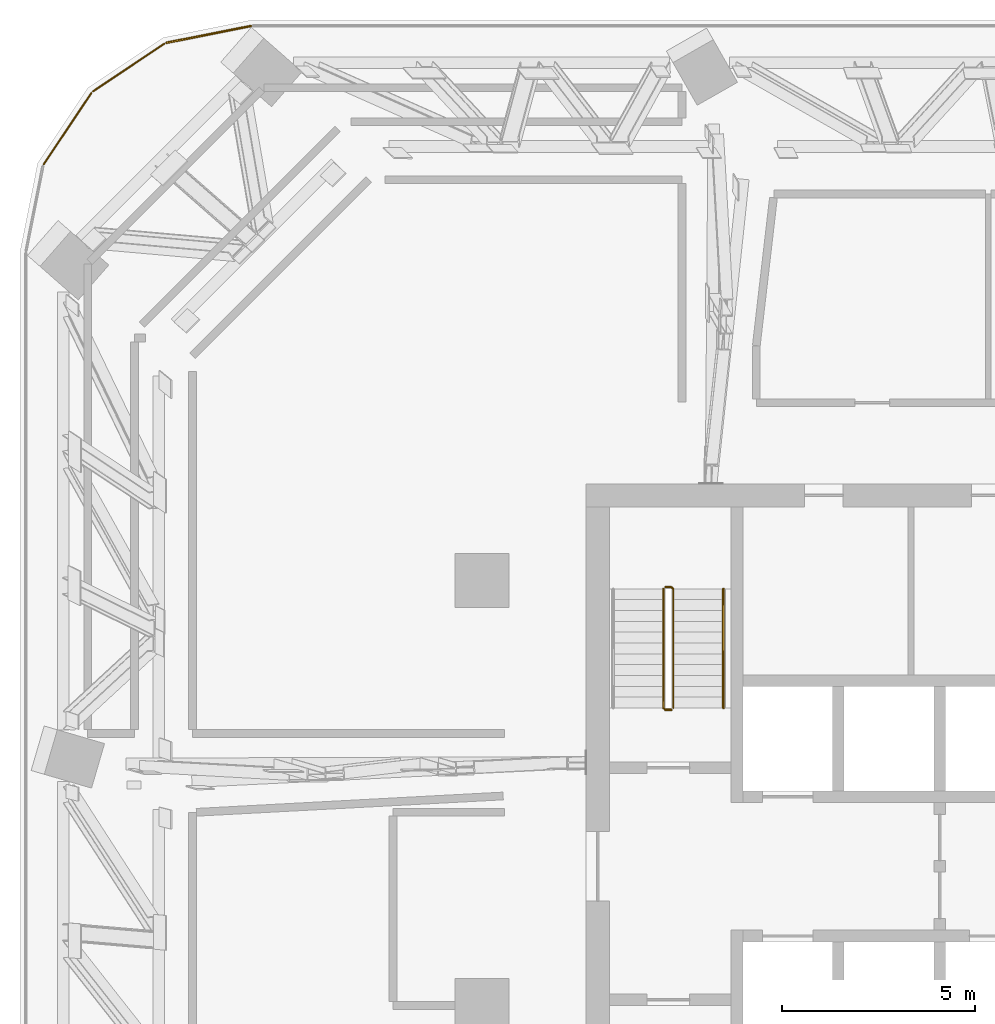
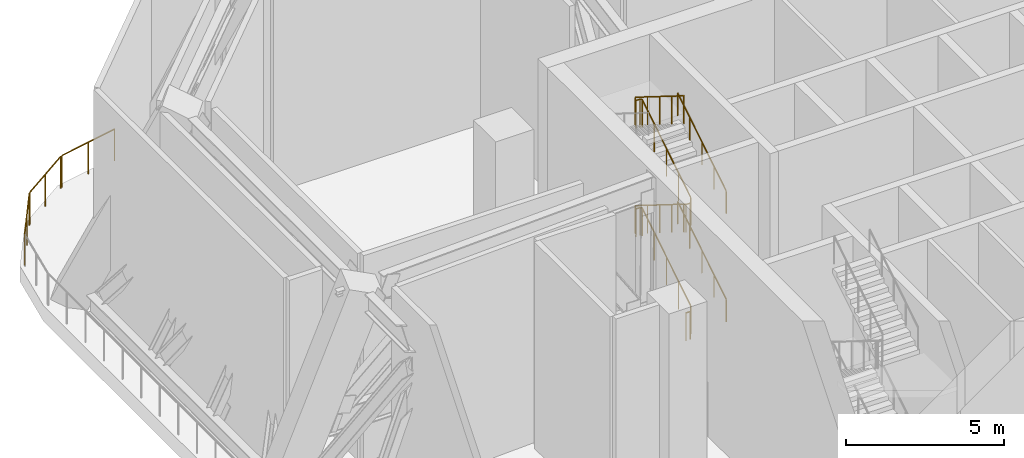
# One storey, part 22 of 24: 10 railings.
"""IFC4 building model written with IfcOpenShell, lengths in metres."""

from ifc_helpers import new_model, si_unit, direction, frame, origin, origin_2d, place, context, subcontext, project, spatial, circle, extrude, material, type_object, element, save


model = new_model("IFC4")

# Units and contexts
model_context = context("Model", 3, precision=1e-05, world=origin(), true_north=direction((0.0, 1.0)))
body_context = subcontext(model_context, "Body", "Model", "MODEL_VIEW")
ifc_project = project(units=[si_unit("LENGTHUNIT", "METRE"), si_unit("AREAUNIT", "SQUARE_METRE"), si_unit("VOLUMEUNIT", "CUBIC_METRE"), si_unit("PLANEANGLEUNIT", "RADIAN"), si_unit("MASSUNIT", "GRAM", prefix="KILO")], contexts=[model_context])

# Site, building, storey
site_placement = place(None, origin())
site = spatial("IfcSite", under=ifc_project, at=site_placement, CompositionType="ELEMENT")
building_placement = place(site_placement, origin())
building = spatial("IfcBuilding", under=site, at=building_placement, Name="Mopane Tessera Tower", CompositionType="ELEMENT")
storey_placement = place(building_placement, frame((0.0, 0.0, 148.60009765625)))
storey = spatial("IfcBuildingStorey", under=building, at=storey_placement, Name="L30", CompositionType="ELEMENT", Elevation=148.60009765625)

# Railings
ifc_material_1 = material(Name="Powder-coated steel balustrade", Category="steel")
railing_type_1 = type_object("IfcRailingType", Name="Escape stair guard 1100 mm", PredefinedType="GUARDRAIL", material=ifc_material_1)
railing_1_placement = place(storey_placement, frame((-12.14990234375, 7.699951171875, 0.1748046875)))
element("IfcRailing", 1, at=railing_1_placement, inside=storey, type_object=railing_type_1, Name="L30 ST2 stair guard 1", PredefinedType="GUARDRAIL", context=body_context, shape_type="SweptSolid", body=[
    extrude(circle(Radius=0.02392578125, at=origin_2d()), frame((0.0, 0.0, 1.076171875), z_axis=(0.0, 0.847998304005, 0.529998940003), x_axis=(-1.0, 0.0, 0.0)), (0.0, 0.0, 1.0), 3.632080078125),
    extrude(circle(Radius=0.02392578125, at=origin_2d()), frame((0.0, 3.080078125, 3.0009765625), z_axis=(-0.707106781187, 0.707106781187, 0.0), x_axis=(-0.707106781187, -0.707106781187, 0.0)), (0.0, 0.0, 1.0), 0.07080078125),
    extrude(circle(Radius=0.02392578125, at=origin_2d()), frame((-0.050048828125, 3.130126953125, 3.0009765625), z_axis=(-1.0, 0.0, 0.0), x_axis=(0.0, -1.0, 0.0)), (0.0, 0.0, 1.0), 0.150146484375),
    extrude(circle(Radius=0.02099609375, at=origin_2d()), origin(), (0.0, 0.0, 1.0), 1.052001953125),
    extrude(circle(Radius=0.02099609375, at=origin_2d()), frame((0.0, 0.77001953125, 0.481201171875)), (0.0, 0.0, 1.0), 1.052001953125),
    extrude(circle(Radius=0.02099609375, at=origin_2d()), frame((0.0, 1.5400390625, 0.96240234375)), (0.0, 0.0, 1.0), 1.052001953125),
    extrude(circle(Radius=0.02099609375, at=origin_2d()), frame((0.0, 2.31005859375, 1.44384765625)), (0.0, 0.0, 1.0), 1.052001953125),
    extrude(circle(Radius=0.02099609375, at=origin_2d()), frame((0.0, 3.080078125, 1.925048828125)), (0.0, 0.0, 1.0), 1.052001953125),
    extrude(circle(Radius=0.02099609375, at=origin_2d()), frame((-0.050048828125, 3.130126953125, 1.925048828125)), (0.0, 0.0, 1.0), 1.052001953125),
    extrude(circle(Radius=0.02099609375, at=origin_2d()), frame((-0.2001953125, 3.130126953125, 1.925048828125)), (0.0, 0.0, 1.0), 1.052001953125),
])
railing_2_placement = place(storey_placement, frame((-12.39990234375, 10.780029296875, 2.27490234375)))
element("IfcRailing", 2, at=railing_2_placement, inside=storey, type_object=railing_type_1, Name="L30 ST2 stair guard 2", PredefinedType="GUARDRAIL", context=body_context, shape_type="SweptSolid", body=[
    extrude(circle(Radius=0.02392578125, at=origin_2d()), frame((0.0, 0.0, 1.076171875), z_axis=(0.0, -0.847998304005, 0.529998940003), x_axis=(1.0, 0.0, 0.0)), (0.0, 0.0, 1.0), 3.632080078125),
    extrude(circle(Radius=0.02392578125, at=origin_2d()), frame((0.0, -3.080078125, 3.0009765625), z_axis=(0.705375805398, -0.708833529934, 0.0), x_axis=(0.708833529934, 0.705375805398, 0.0)), (0.0, 0.0, 1.0), 0.070556640625),
    extrude(circle(Radius=0.02392578125, at=origin_2d()), frame((0.0498046875, -3.130126953125, 3.0009765625), z_axis=(1.0, 0.0, 0.0), x_axis=(0.0, 1.0, 0.0)), (0.0, 0.0, 1.0), 0.150146484375),
    extrude(circle(Radius=0.02099609375, at=origin_2d()), origin(), (0.0, 0.0, 1.0), 1.052001953125),
    extrude(circle(Radius=0.02099609375, at=origin_2d()), frame((0.0, -0.77001953125, 0.481201171875)), (0.0, 0.0, 1.0), 1.052001953125),
    extrude(circle(Radius=0.02099609375, at=origin_2d()), frame((0.0, -1.5400390625, 0.96240234375)), (0.0, 0.0, 1.0), 1.052001953125),
    extrude(circle(Radius=0.02099609375, at=origin_2d()), frame((0.0, -2.31005859375, 1.44384765625)), (0.0, 0.0, 1.0), 1.052001953125),
    extrude(circle(Radius=0.02099609375, at=origin_2d()), frame((0.0, -3.080078125, 1.925048828125)), (0.0, 0.0, 1.0), 1.052001953125),
    extrude(circle(Radius=0.02099609375, at=origin_2d()), frame((0.0498046875, -3.130126953125, 1.925048828125)), (0.0, 0.0, 1.0), 1.052001953125),
    extrude(circle(Radius=0.02099609375, at=origin_2d()), frame((0.199951171875, -3.130126953125, 1.925048828125)), (0.0, 0.0, 1.0), 1.052001953125),
])
railing_3_placement = place(storey_placement, frame((-12.14990234375, 7.699951171875, 4.375)))
element("IfcRailing", 3, at=railing_3_placement, inside=storey, type_object=railing_type_1, Name="L30 ST2 stair guard 3", PredefinedType="GUARDRAIL", context=body_context, shape_type="SweptSolid", body=[
    extrude(circle(Radius=0.02392578125, at=origin_2d()), frame((0.0, 0.0, 1.076171875), z_axis=(0.0, 0.848028513186, 0.529950602248), x_axis=(-1.0, 0.0, 0.0)), (0.0, 0.0, 1.0), 3.632080078125),
    extrude(circle(Radius=0.02392578125, at=origin_2d()), frame((0.0, 3.080078125, 3.0009765625), z_axis=(-0.707106781187, 0.707106781187, 0.0), x_axis=(-0.707106781187, -0.707106781187, 0.0)), (0.0, 0.0, 1.0), 0.07080078125),
    extrude(circle(Radius=0.02392578125, at=origin_2d()), frame((-0.050048828125, 3.130126953125, 3.0009765625), z_axis=(-1.0, 0.0, 0.0), x_axis=(0.0, -1.0, 0.0)), (0.0, 0.0, 1.0), 0.150146484375),
    extrude(circle(Radius=0.02099609375, at=origin_2d()), origin(), (0.0, 0.0, 1.0), 1.052001953125),
    extrude(circle(Radius=0.02099609375, at=origin_2d()), frame((0.0, 0.77001953125, 0.481201171875)), (0.0, 0.0, 1.0), 1.052001953125),
    extrude(circle(Radius=0.02099609375, at=origin_2d()), frame((0.0, 1.5400390625, 0.96240234375)), (0.0, 0.0, 1.0), 1.052001953125),
    extrude(circle(Radius=0.02099609375, at=origin_2d()), frame((0.0, 2.31005859375, 1.443603515625)), (0.0, 0.0, 1.0), 1.052001953125),
    extrude(circle(Radius=0.02099609375, at=origin_2d()), frame((0.0, 3.080078125, 1.9248046875)), (0.0, 0.0, 1.0), 1.052001953125),
    extrude(circle(Radius=0.02099609375, at=origin_2d()), frame((-0.050048828125, 3.130126953125, 1.9248046875)), (0.0, 0.0, 1.0), 1.052001953125),
    extrude(circle(Radius=0.02099609375, at=origin_2d()), frame((-0.2001953125, 3.130126953125, 1.9248046875)), (0.0, 0.0, 1.0), 1.052001953125),
])
railing_4_placement = place(storey_placement, frame((-12.39990234375, 10.780029296875, 6.474853515625)))
element("IfcRailing", 4, at=railing_4_placement, inside=storey, type_object=railing_type_1, Name="L30 ST2 stair guard 4", PredefinedType="GUARDRAIL", context=body_context, shape_type="SweptSolid", body=[
    extrude(circle(Radius=0.02392578125, at=origin_2d()), frame((0.0, 0.0, 1.076171875), z_axis=(0.0, -0.847998304005, 0.529998940003), x_axis=(1.0, 0.0, 0.0)), (0.0, 0.0, 1.0), 3.632080078125),
    extrude(circle(Radius=0.02099609375, at=origin_2d()), origin(), (0.0, 0.0, 1.0), 1.052001953125),
    extrude(circle(Radius=0.02099609375, at=origin_2d()), frame((0.0, -0.77001953125, 0.481201171875)), (0.0, 0.0, 1.0), 1.052001953125),
    extrude(circle(Radius=0.02099609375, at=origin_2d()), frame((0.0, -1.5400390625, 0.96240234375)), (0.0, 0.0, 1.0), 1.052001953125),
    extrude(circle(Radius=0.02099609375, at=origin_2d()), frame((0.0, -2.31005859375, 1.44384765625)), (0.0, 0.0, 1.0), 1.052001953125),
    extrude(circle(Radius=0.02099609375, at=origin_2d()), frame((0.0, -3.080078125, 1.925048828125)), (0.0, 0.0, 1.0), 1.052001953125),
])
railing_5_placement = place(storey_placement, frame((-12.199951171875, 7.64990234375, 0.0)))
element("IfcRailing", 5, at=railing_5_placement, inside=storey, type_object=railing_type_1, Name="L30 ST2 stair guard 5", PredefinedType="GUARDRAIL", context=body_context, shape_type="SweptSolid", body=[
    extrude(circle(Radius=0.02392578125, at=origin_2d()), frame((0.0, 0.0, 1.076171875), z_axis=(-1.0, 0.0, 0.0), x_axis=(0.0, -1.0, 0.0)), (0.0, 0.0, 1.0), 0.150146484375),
    extrude(circle(Radius=0.02099609375, at=origin_2d()), origin(), (0.0, 0.0, 1.0), 1.052001953125),
    extrude(circle(Radius=0.02099609375, at=origin_2d()), frame((-0.150146484375, 0.0, 0.0)), (0.0, 0.0, 1.0), 1.052001953125),
])
ifc_material_2 = material(Name="Powder-coated steel balustrade", Category="steel")
railing_type_2 = type_object("IfcRailingType", Name="Escape stair handrail 900 mm", PredefinedType="HANDRAIL", material=ifc_material_2)
railing_6_placement = place(storey_placement, frame((-10.85009765625, 7.699951171875, 0.1748046875)))
element("IfcRailing", 6, at=railing_6_placement, inside=storey, type_object=railing_type_2, Name="L30 ST2 stair handrail 1", PredefinedType="HANDRAIL", context=body_context, shape_type="SweptSolid", body=[
    extrude(circle(Radius=0.02392578125, at=origin_2d()), frame((0.0, 0.0, 0.8759765625), z_axis=(0.0, 0.847998304005, 0.529998940003), x_axis=(-1.0, 0.0, 0.0)), (0.0, 0.0, 1.0), 3.632080078125),
    extrude(circle(Radius=0.02099609375, at=origin_2d()), origin(), (0.0, 0.0, 1.0), 0.851806640625),
    extrude(circle(Radius=0.02099609375, at=origin_2d()), frame((0.0, 0.77001953125, 0.481201171875)), (0.0, 0.0, 1.0), 0.851806640625),
    extrude(circle(Radius=0.02099609375, at=origin_2d()), frame((0.0, 1.5400390625, 0.96240234375)), (0.0, 0.0, 1.0), 0.851806640625),
    extrude(circle(Radius=0.02099609375, at=origin_2d()), frame((0.0, 2.31005859375, 1.44384765625)), (0.0, 0.0, 1.0), 0.851806640625),
    extrude(circle(Radius=0.02099609375, at=origin_2d()), frame((0.0, 3.080078125, 1.925048828125)), (0.0, 0.0, 1.0), 0.851806640625),
])
railing_7_placement = place(storey_placement, frame((-10.85009765625, 7.699951171875, 4.375)))
element("IfcRailing", 7, at=railing_7_placement, inside=storey, type_object=railing_type_2, Name="L30 ST2 stair handrail 3", PredefinedType="HANDRAIL", context=body_context, shape_type="SweptSolid", body=[
    extrude(circle(Radius=0.02392578125, at=origin_2d()), frame((0.0, 0.0, 0.8759765625), z_axis=(0.0, 0.848028513186, 0.529950602248), x_axis=(-1.0, 0.0, 0.0)), (0.0, 0.0, 1.0), 3.632080078125),
    extrude(circle(Radius=0.02099609375, at=origin_2d()), origin(), (0.0, 0.0, 1.0), 0.851806640625),
    extrude(circle(Radius=0.02099609375, at=origin_2d()), frame((0.0, 0.77001953125, 0.481201171875)), (0.0, 0.0, 1.0), 0.851806640625),
    extrude(circle(Radius=0.02099609375, at=origin_2d()), frame((0.0, 1.5400390625, 0.96240234375)), (0.0, 0.0, 1.0), 0.851806640625),
    extrude(circle(Radius=0.02099609375, at=origin_2d()), frame((0.0, 2.31005859375, 1.443603515625)), (0.0, 0.0, 1.0), 0.851806640625),
    extrude(circle(Radius=0.02099609375, at=origin_2d()), frame((0.0, 3.080078125, 1.9248046875)), (0.0, 0.0, 1.0), 0.851806640625),
])
ifc_material_3 = material(Name="Stainless steel S316", Category="steel")
railing_type_3 = type_object("IfcRailingType", Name="Wind floor guard 1250", PredefinedType="GUARDRAIL", material=ifc_material_3)
railing_8_placement = place(storey_placement, frame((-23.079345703125, 25.34423828125, 0.0)))
element("IfcRailing", 8, at=railing_8_placement, inside=storey, type_object=railing_type_3, Name="e:og:L30:11", PredefinedType="GUARDRAIL", context=body_context, shape_type="SweptSolid", body=[
    extrude(circle(Radius=0.02392578125, at=origin_2d()), frame((0.0, 0.0, 1.22607421875), z_axis=(-0.980787141005, -0.195080967905, 0.0), x_axis=(0.195080967905, -0.980787141005, 0.0)), (0.0, 0.0, 1.0), 2.22265625),
    extrude(circle(Radius=0.02099609375, at=origin_2d()), origin(), (0.0, 0.0, 1.0), 1.201904296875),
    extrude(circle(Radius=0.02099609375, at=origin_2d()), frame((-1.08984375, -0.216796875, 0.0)), (0.0, 0.0, 1.0), 1.201904296875),
    extrude(circle(Radius=0.02099609375, at=origin_2d()), frame((-2.179931640625, -0.43359375, 0.0)), (0.0, 0.0, 1.0), 1.201904296875),
])
railing_9_placement = place(storey_placement, frame((-25.313720703125, 24.887939453125, 0.0)))
element("IfcRailing", 9, at=railing_9_placement, inside=storey, type_object=railing_type_3, Name="e:og:L30:12", PredefinedType="GUARDRAIL", context=body_context, shape_type="SweptSolid", body=[
    extrude(circle(Radius=0.02392578125, at=origin_2d()), frame((0.0, 0.0, 1.22607421875), z_axis=(-0.831492148611, -0.55553650357, 0.0), x_axis=(0.55553650357, -0.831492148611, 0.0)), (0.0, 0.0, 1.0), 2.222412109375),
    extrude(circle(Radius=0.02099609375, at=origin_2d()), origin(), (0.0, 0.0, 1.0), 1.201904296875),
    extrude(circle(Radius=0.02099609375, at=origin_2d()), frame((-0.923828125, -0.6171875, 0.0)), (0.0, 0.0, 1.0), 1.201904296875),
    extrude(circle(Radius=0.02099609375, at=origin_2d()), frame((-1.847900390625, -1.234619140625, 0.0)), (0.0, 0.0, 1.0), 1.201904296875),
])
railing_10_placement = place(storey_placement, frame((-27.203125, 23.611572265625, 0.0)))
element("IfcRailing", 10, at=railing_10_placement, inside=storey, type_object=railing_type_3, Name="e:og:L30:13", PredefinedType="GUARDRAIL", context=body_context, shape_type="SweptSolid", body=[
    extrude(circle(Radius=0.02392578125, at=origin_2d()), frame((0.0, 0.0, 1.22607421875), z_axis=(-0.555612448047, -0.831441403573, 0.0), x_axis=(0.831441403573, -0.555612448047, 0.0)), (0.0, 0.0, 1.0), 2.222412109375),
    extrude(circle(Radius=0.02099609375, at=origin_2d()), origin(), (0.0, 0.0, 1.0), 1.201904296875),
    extrude(circle(Radius=0.02099609375, at=origin_2d()), frame((-0.617431640625, -0.923828125, 0.0)), (0.0, 0.0, 1.0), 1.201904296875),
    extrude(circle(Radius=0.02099609375, at=origin_2d()), frame((-1.23486328125, -1.847900390625, 0.0)), (0.0, 0.0, 1.0), 1.201904296875),
])

save(model, "model.ifc")
